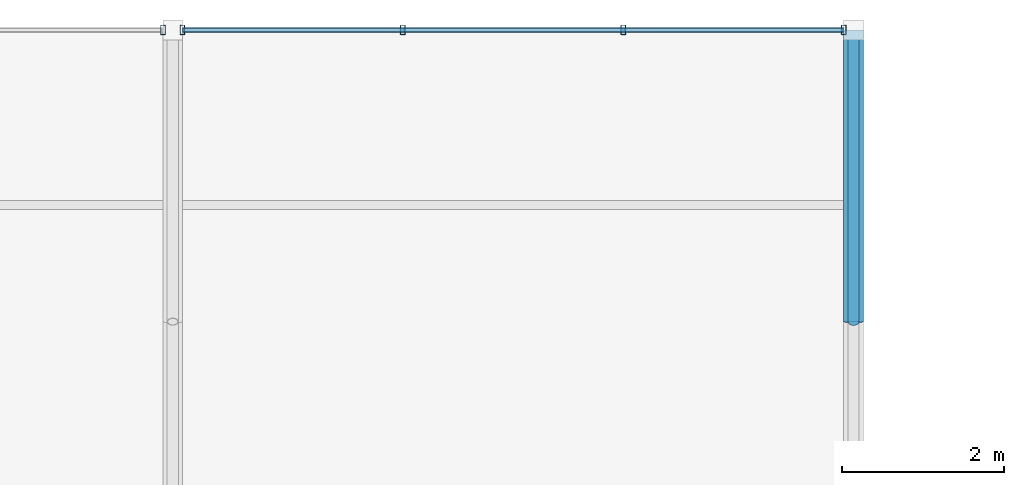
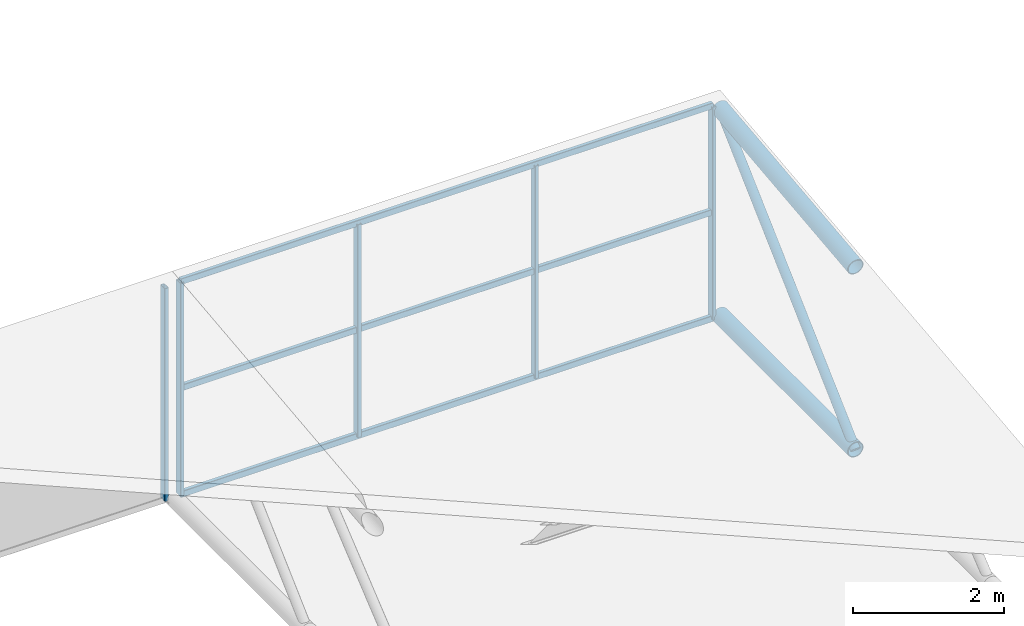
# One storey, part 53 of 77: 11 members, 2 elements without a shape of their own.
"""IFC4 building model written with IfcOpenShell, lengths in metres."""

import ifcopenshell
import ifcopenshell.guid

model = None  # the IFC model being written
_history = None  # IfcOwnerHistory: only IFC2X3 demands one
_inside = {}  # id of a spatial element -> (the spatial element, [elements in it])
_under = {}  # id of a project, library or spatial element -> (it, [spatial elements below it])
_declared = {}  # id of a project -> (the project, [libraries it declares])
_typed = {}  # id of a type object -> (the type object, [elements of that type])
_made_of = {}  # id of a material, layer set ... -> (it, [elements and type objects made of it])


def new_model(schema):
    """Start an empty IFC model of exactly this schema.

    Asked for "IFC4X3", IfcOpenShell would pick the latest addendum, in which some entities
    have other attributes; the version numbers below select the first issue.
    IFC2X3 requires an IfcOwnerHistory on every rooted entity: one is made here for all.
    """
    global model, _history
    if schema == "IFC4X3":
        model = ifcopenshell.file(schema_version=(4, 3, 0, 0))
    else:
        model = ifcopenshell.file(schema=schema)
    _inside.clear()
    _under.clear()
    _declared.clear()
    _typed.clear()
    _made_of.clear()
    _history = None
    if model.schema == "IFC2X3":
        org = make("IfcOrganization", Name="unknown")
        user = make(
            "IfcPersonAndOrganization",
            ThePerson=make("IfcPerson", FamilyName="unknown"),
            TheOrganization=org,
        )
        app = make(
            "IfcApplication",
            ApplicationDeveloper=org,
            Version="unknown",
            ApplicationFullName="unknown",
            ApplicationIdentifier="unknown",
        )
        _history = make(
            "IfcOwnerHistory",
            OwningUser=user,
            OwningApplication=app,
            ChangeAction="ADDED",
            CreationDate=0,
        )
    return model


def make(cls, **values):
    """One entity of the class cls with the attributes given. An attribute that is None is left unset."""
    return model.create_entity(
        cls, **{name: value for name, value in values.items() if value is not None}
    )


def rooted(cls, **values):
    """An entity with a GlobalId (a new one), such as an element, a storey or a relation."""
    return make(cls, GlobalId=ifcopenshell.guid.new(), OwnerHistory=_history, **values)


def si_unit(unit_type, name, prefix=None):
    """IfcSIUnit, for example si_unit("LENGTHUNIT", "METRE", prefix="MILLI")."""
    return make("IfcSIUnit", UnitType=unit_type, Prefix=prefix, Name=name)


def derived_unit(unit_type, elements):
    """IfcDerivedUnit: a product of units, each with its exponent."""
    return make(
        "IfcDerivedUnit",
        Elements=[
            make("IfcDerivedUnitElement", Unit=unit, Exponent=power)
            for unit, power in elements
        ],
        UnitType=unit_type,
    )


def assignment(units):
    """IfcUnitAssignment: the units of a project."""
    return None if units is None else make("IfcUnitAssignment", Units=units)


def point(xyz):
    """IfcCartesianPoint."""
    return None if xyz is None else make("IfcCartesianPoint", Coordinates=xyz)


def direction(xyz):
    """IfcDirection."""
    return None if xyz is None else make("IfcDirection", DirectionRatios=xyz)


def frame(location, z_axis=None, x_axis=None):
    """IfcAxis2Placement3D, a coordinate frame: its origin and axes. An axis left out is left unset."""
    return make(
        "IfcAxis2Placement3D",
        Location=point(location),
        Axis=direction(z_axis),
        RefDirection=direction(x_axis),
    )


def frame_2d(location, x_axis=None):
    """IfcAxis2Placement2D, a coordinate frame in the plane: its origin and x axis."""
    return make(
        "IfcAxis2Placement2D", Location=point(location), RefDirection=direction(x_axis)
    )


def origin():
    """The frame at (0, 0, 0) with its axes left unset."""
    return frame((0.0, 0.0, 0.0))


def origin_2d():
    """The frame at (0, 0) in the plane with its x axis left unset."""
    return frame_2d((0.0, 0.0))


def place(relative_to, where):
    """IfcLocalPlacement: puts the frame where relative to a parent placement (None: the world)."""
    return make(
        "IfcLocalPlacement", PlacementRelTo=relative_to, RelativePlacement=where
    )


def context(
    kind, dimensions, precision=None, world=None, true_north=None, identifier=None
):
    """IfcGeometricRepresentationContext, for example the 3D "Model" context."""
    return make(
        "IfcGeometricRepresentationContext",
        ContextIdentifier=identifier,
        ContextType=kind,
        CoordinateSpaceDimension=dimensions,
        Precision=precision,
        WorldCoordinateSystem=world,
        TrueNorth=true_north,
    )


def subcontext(parent, identifier, kind, view, scale=None):
    """IfcGeometricRepresentationSubContext, for example "Body" below "Model"."""
    return make(
        "IfcGeometricRepresentationSubContext",
        ContextIdentifier=identifier,
        ContextType=kind,
        ParentContext=parent,
        TargetScale=scale,
        TargetView=view,
    )


def project(units=None, contexts=None):
    """IfcProject with its units and contexts."""
    return rooted(
        "IfcProject",
        Name="project",
        RepresentationContexts=contexts,
        UnitsInContext=assignment(units),
    )


def spatial(cls, under=None, at=None, **own):
    """A site, building, storey or space (cls), placed at a placement, below another one or the project."""
    s = rooted(cls, ObjectPlacement=at, **own)
    if under is not None:
        _under.setdefault(under.id(), (under, []))[1].append(s)
    return s


def profile(cls, at=None, kind="AREA", **sizes):
    """A parametric profile (cls). Its sizes go by their IFC names, for example OverallWidth=200.0."""
    return make(cls, ProfileType=kind, Position=at, **sizes)


def hollow_rectangle(**sizes):
    """IfcRectangleHollowProfileDef."""
    return profile("IfcRectangleHollowProfileDef", **sizes)


def hollow_circle(**sizes):
    """IfcCircleHollowProfileDef."""
    return profile("IfcCircleHollowProfileDef", **sizes)


def extrude(swept, where, along, depth):
    """IfcExtrudedAreaSolid: the profile swept, set in the frame where, extruded along a direction by depth."""
    return make(
        "IfcExtrudedAreaSolid",
        SweptArea=swept,
        Position=where,
        ExtrudedDirection=direction(along),
        Depth=depth,
    )


def shape(context_of_items, identifier, shape_type, items):
    """IfcShapeRepresentation: the items that make up one representation, for example the "Body"."""
    return make(
        "IfcShapeRepresentation",
        ContextOfItems=context_of_items,
        RepresentationIdentifier=identifier,
        RepresentationType=shape_type,
        Items=items,
    )


def material(Name=None, Category=None):
    """IfcMaterial."""
    return make("IfcMaterial", Name=Name, Category=Category)


def material_profile(
    of_material, cross_section, Name=None, Category=None, Priority=None
):
    """IfcMaterialProfile: a cross section and its material."""
    return make(
        "IfcMaterialProfile",
        Name=Name,
        Material=of_material,
        Profile=cross_section,
        Priority=Priority,
        Category=Category,
    )


def profile_set(profiles, Name=None, composite=None):
    """IfcMaterialProfileSet."""
    return make(
        "IfcMaterialProfileSet",
        Name=Name,
        MaterialProfiles=profiles,
        CompositeProfile=composite,
    )


def made_of(thing, what):
    """Note that an element or type object is made of a material, layer set ...; save() writes the relation."""
    if what is not None:
        _made_of.setdefault(what.id(), (what, []))[1].append(thing)
    return thing


def type_object(cls, material=None, **own):
    """A type object (cls), such as IfcWallType, which elements share."""
    return made_of(rooted(cls, **own), material)


def element(
    cls,
    number,
    at=None,
    inside=None,
    cuts=None,
    type_object=None,
    material=None,
    context=None,
    identifier="Body",
    shape_type=None,
    held_by="IfcProductDefinitionShape",
    body=None,
    shapes=None,
    **own,
):
    """One element of the class cls, such as IfcWall. Its Tag is "e" and its number.

    at: its placement. inside: the storey or other place that contains it. cuts: it is an
    opening in that element (IfcRelVoidsElement). A single representation is given by context,
    identifier, shape_type and body (its items); several are given by shapes. held_by: the class
    of the entity that holds the representations. save() writes the other relations.
    """
    e = rooted(cls, Tag="e%d" % number, ObjectPlacement=at, **own)
    if body is not None:
        shapes = [shape(context, identifier, shape_type, body)]
    if shapes is not None:
        e.Representation = make(held_by, Representations=shapes)
    if inside is not None:
        _inside.setdefault(inside.id(), (inside, []))[1].append(e)
    if cuts is not None:
        rooted(
            "IfcRelVoidsElement", RelatingBuildingElement=cuts, RelatedOpeningElement=e
        )
    if type_object is not None:
        _typed.setdefault(type_object.id(), (type_object, []))[1].append(e)
    return made_of(e, material)


def aggregate(whole, parts):
    """IfcRelAggregates: a whole, such as a stair, and the parts it consists of."""
    return rooted("IfcRelAggregates", RelatingObject=whole, RelatedObjects=parts)


def save(model, path):
    """Write the relations noted so far, then the file.

    IfcRelAggregates (storeys below a building ...), IfcRelContainedInSpatialStructure (elements
    in a storey), IfcRelDefinesByType, IfcRelAssociatesMaterial and IfcRelDeclares: one each for
    every whole, place, type object, material and project.
    """
    for whole, parts in _under.values():
        aggregate(whole, parts)
    for where, things in _inside.values():
        rooted(
            "IfcRelContainedInSpatialStructure",
            RelatedElements=things,
            RelatingStructure=where,
        )
    for kind, things in _typed.values():
        rooted("IfcRelDefinesByType", RelatedObjects=things, RelatingType=kind)
    for what, things in _made_of.values():
        rooted("IfcRelAssociatesMaterial", RelatedObjects=things, RelatingMaterial=what)
    for by, libraries in _declared.values():
        rooted("IfcRelDeclares", RelatingContext=by, RelatedDefinitions=libraries)
    model.write(path)


model = new_model("IFC4")

# Units and contexts
model_context = context("Model", 3, precision=1e-05, world=origin(), true_north=direction((0.0, 1.0)))
body_context = subcontext(model_context, "Body", "Model", "MODEL_VIEW")
ifc_project = project(units=[si_unit("LENGTHUNIT", "METRE"), si_unit("AREAUNIT", "SQUARE_METRE"), si_unit("VOLUMEUNIT", "CUBIC_METRE"), si_unit("PLANEANGLEUNIT", "RADIAN"), si_unit("MASSUNIT", "GRAM", prefix="KILO"), derived_unit("THERMALTRANSMITTANCEUNIT", [(si_unit("MASSUNIT", "GRAM", prefix="KILO"), 1), (si_unit("TIMEUNIT", "SECOND"), -3), (si_unit("THERMODYNAMICTEMPERATUREUNIT", "KELVIN"), -1)])], contexts=[model_context])

# Site, building, storey
site_placement = place(None, origin())
site = spatial("IfcSite", under=ifc_project, at=site_placement, CompositionType="ELEMENT")
building_placement = place(site_placement, origin())
building = spatial("IfcBuilding", under=site, at=building_placement, Name="Kharveza Railside Sports Centre", CompositionType="ELEMENT")
storey_placement = place(building_placement, frame((0.0, 0.0, 17.10009765625)))
storey = spatial("IfcBuildingStorey", under=building, at=storey_placement, Name="L04", CompositionType="ELEMENT", Elevation=17.10009765625)

# Curtain wall, member
ifc_material_1 = material(Name="Low-E solar-control laminated glass", Category="glass")
curtain_wall_type = type_object("IfcCurtainWallType", Name="CW-NL03", PredefinedType="NOTDEFINED", material=ifc_material_1)
curtain_wall_1_placement = place(storey_placement, origin())
curtain_wall_1 = element("IfcCurtainWall", 1, at=curtain_wall_1_placement, inside=storey, type_object=curtain_wall_type, Name="CW-V3NL-2", PredefinedType="NOTDEFINED")
ifc_material_2 = material(Name="Anodised aluminium 6063-T6", Category="aluminium")
ifc_material_profile_1 = material_profile(ifc_material_2, hollow_rectangle(XDim=0.06005859375, YDim=0.1201171875, WallThickness=0.0048828125, InnerFilletRadius=0.0048828125, OuterFilletRadius=0.010009765625, at=origin_2d()), Name="RHS 60x120x5.0")
ifc_profile_set_1 = profile_set([ifc_material_profile_1], Name="Anodised aluminium 6063-T6")
member_type_1 = type_object("IfcMemberType", Name="CW-ML05", PredefinedType="MULLION", material=ifc_profile_set_1)
member_1_placement = place(storey_placement, frame((16.679931640625, 108.0, 0.0), z_axis=(0.0, 0.0, 1.0), x_axis=(1.0, 0.0, 0.0)))
member_1 = element("IfcMember", 2, at=member_1_placement, type_object=member_type_1, Name="CW-V3NL-2-ML4", PredefinedType="MULLION", context=body_context, shape_type="SweptSolid", body=[
    extrude(hollow_rectangle(XDim=0.06005859375, YDim=0.1201171875, WallThickness=0.0048828125, InnerFilletRadius=0.0048828125, OuterFilletRadius=0.010009765625, at=origin_2d()), origin(), (0.0, 0.0, 1.0), 3.449951171875),
])
aggregate(curtain_wall_1, [member_1])

# Curtain wall, members
curtain_wall_2_placement = place(storey_placement, origin())
curtain_wall_2 = element("IfcCurtainWall", 3, at=curtain_wall_2_placement, inside=storey, type_object=curtain_wall_type, Name="CW-V3NL-3", PredefinedType="NOTDEFINED")
member_2_placement = place(storey_placement, frame((16.919921875, 108.0, 0.0), z_axis=(0.0, 0.0, 1.0), x_axis=(1.0, 0.0, 0.0)))
member_2 = element("IfcMember", 4, at=member_2_placement, type_object=member_type_1, Name="CW-V3NL-3-ML1", PredefinedType="MULLION", context=body_context, shape_type="SweptSolid", body=[
    extrude(hollow_rectangle(XDim=0.06005859375, YDim=0.1201171875, WallThickness=0.0048828125, InnerFilletRadius=0.0048828125, OuterFilletRadius=0.010009765625, at=origin_2d()), origin(), (0.0, 0.0, 1.0), 3.449951171875),
])
member_3_placement = place(storey_placement, frame((19.639892578125, 108.0, 0.0), z_axis=(0.0, 0.0, 1.0), x_axis=(1.0, 0.0, 0.0)))
member_3 = element("IfcMember", 5, at=member_3_placement, type_object=member_type_1, Name="CW-V3NL-3-ML2", PredefinedType="MULLION", context=body_context, shape_type="SweptSolid", body=[
    extrude(hollow_rectangle(XDim=0.06005859375, YDim=0.1201171875, WallThickness=0.0048828125, InnerFilletRadius=0.0048828125, OuterFilletRadius=0.010009765625, at=origin_2d()), origin(), (0.0, 0.0, 1.0), 3.449951171875),
])
member_4_placement = place(storey_placement, frame((22.360107421875, 108.0, 0.0), z_axis=(0.0, 0.0, 1.0), x_axis=(1.0, 0.0, 0.0)))
member_4 = element("IfcMember", 6, at=member_4_placement, type_object=member_type_1, Name="CW-V3NL-3-ML3", PredefinedType="MULLION", context=body_context, shape_type="SweptSolid", body=[
    extrude(hollow_rectangle(XDim=0.06005859375, YDim=0.1201171875, WallThickness=0.0048828125, InnerFilletRadius=0.0048828125, OuterFilletRadius=0.010009765625, at=origin_2d()), origin(), (0.0, 0.0, 1.0), 3.449951171875),
])
member_5_placement = place(storey_placement, frame((25.080078125, 108.0, 0.0), z_axis=(0.0, 0.0, 1.0), x_axis=(1.0, 0.0, 0.0)))
member_5 = element("IfcMember", 7, at=member_5_placement, type_object=member_type_1, Name="CW-V3NL-3-ML4", PredefinedType="MULLION", context=body_context, shape_type="SweptSolid", body=[
    extrude(hollow_rectangle(XDim=0.06005859375, YDim=0.1201171875, WallThickness=0.0048828125, InnerFilletRadius=0.0048828125, OuterFilletRadius=0.010009765625, at=origin_2d()), origin(), (0.0, 0.0, 1.0), 3.449951171875),
])
ifc_material_profile_2 = material_profile(ifc_material_2, hollow_rectangle(XDim=0.06005859375, YDim=0.10009765625, WallThickness=0.00390625, InnerFilletRadius=0.00390625, OuterFilletRadius=0.008056640625, at=origin_2d()), Name="RHS 60x100x4.0")
ifc_profile_set_2 = profile_set([ifc_material_profile_2], Name="Anodised aluminium 6063-T6")
member_type_2 = type_object("IfcMemberType", Name="CW-TR05", PredefinedType="USERDEFINED", material=ifc_profile_set_2)
member_6_placement = place(storey_placement, frame((16.919921875, 108.0, 0.0), z_axis=(1.0, 0.0, 0.0), x_axis=(0.0, 1.0, 0.0)))
member_6 = element("IfcMember", 8, at=member_6_placement, type_object=member_type_2, Name="CW-V3NL-3-TR1", ObjectType="TRANSOM", PredefinedType="USERDEFINED", context=body_context, shape_type="SweptSolid", body=[
    extrude(hollow_rectangle(XDim=0.06005859375, YDim=0.10009765625, WallThickness=0.00390625, InnerFilletRadius=0.00390625, OuterFilletRadius=0.008056640625, at=origin_2d()), origin(), (0.0, 0.0, 1.0), 8.16015625),
])
member_7_placement = place(storey_placement, frame((16.919921875, 108.0, 1.724853515625), z_axis=(1.0, 0.0, 0.0), x_axis=(0.0, 1.0, 0.0)))
member_7 = element("IfcMember", 9, at=member_7_placement, type_object=member_type_2, Name="CW-V3NL-3-TR2", ObjectType="TRANSOM", PredefinedType="USERDEFINED", context=body_context, shape_type="SweptSolid", body=[
    extrude(hollow_rectangle(XDim=0.06005859375, YDim=0.10009765625, WallThickness=0.00390625, InnerFilletRadius=0.00390625, OuterFilletRadius=0.008056640625, at=origin_2d()), origin(), (0.0, 0.0, 1.0), 8.16015625),
])
member_8_placement = place(storey_placement, frame((16.919921875, 108.0, 3.449951171875), z_axis=(1.0, 0.0, 0.0), x_axis=(0.0, 1.0, 0.0)))
member_8 = element("IfcMember", 10, at=member_8_placement, type_object=member_type_2, Name="CW-V3NL-3-TR3", ObjectType="TRANSOM", PredefinedType="USERDEFINED", context=body_context, shape_type="SweptSolid", body=[
    extrude(hollow_rectangle(XDim=0.06005859375, YDim=0.10009765625, WallThickness=0.00390625, InnerFilletRadius=0.00390625, OuterFilletRadius=0.008056640625, at=origin_2d()), origin(), (0.0, 0.0, 1.0), 8.16015625),
])
aggregate(curtain_wall_2, [member_2, member_3, member_4, member_5, member_6, member_7, member_8])

# Members
ifc_material_3 = material(Name="Steel S355J2", Category="steel")
ifc_material_profile_3 = material_profile(ifc_material_3, hollow_circle(Radius=0.122314453125, WallThickness=0.012451171875, at=origin_2d()), Name="CHS 244.5x12.5")
ifc_profile_set_3 = profile_set([ifc_material_profile_3], Name="Steel S355J2")
member_type_3 = type_object("IfcMemberType", Name="MB-CH04", PredefinedType="CHORD", material=ifc_profile_set_3)
member_9_placement = place(storey_placement, frame((25.199951171875, 104.39990234375, 0.0), z_axis=(0.0, 1.0, 0.0), x_axis=(-1.0, 0.0, 0.0)))
element("IfcMember", 11, at=member_9_placement, inside=storey, type_object=member_type_3, Name="MB-V3TR-BC-4-6", PredefinedType="CHORD", context=body_context, shape_type="SweptSolid", body=[
    extrude(hollow_circle(Radius=0.122314453125, WallThickness=0.012451171875, at=origin_2d()), origin(), (0.0, 0.0, 1.0), 3.60009765625),
])
member_10_placement = place(storey_placement, frame((25.199951171875, 104.39990234375, 2.9599609375), z_axis=(0.0, 0.99388702206, 0.110401935585), x_axis=(-1.0, 0.0, 0.0)))
element("IfcMember", 12, at=member_10_placement, inside=storey, type_object=member_type_3, Name="MB-V3TR-TC-4-6", PredefinedType="CHORD", context=body_context, shape_type="SweptSolid", body=[
    extrude(hollow_circle(Radius=0.122314453125, WallThickness=0.012451171875, at=origin_2d()), origin(), (0.0, 0.0, 1.0), 3.622314453125),
])
ifc_material_profile_4 = material_profile(ifc_material_3, hollow_circle(Radius=0.06982421875, WallThickness=0.008056640625, at=origin_2d()), Name="CHS 139.7x8.0")
ifc_profile_set_4 = profile_set([ifc_material_profile_4], Name="Steel S355J2")
member_type_4 = type_object("IfcMemberType", Name="MB-ST04", PredefinedType="STRUT", material=ifc_profile_set_4)
member_11_placement = place(storey_placement, frame((25.199951171875, 104.39990234375, 0.0), z_axis=(0.0, 0.731078349305, 0.682293519812), x_axis=(-1.0, 0.0, 0.0)))
element("IfcMember", 13, at=member_11_placement, inside=storey, type_object=member_type_4, Name="MB-V3TR-DG-4-6", PredefinedType="STRUT", context=body_context, shape_type="SweptSolid", body=[
    extrude(hollow_circle(Radius=0.06982421875, WallThickness=0.008056640625, at=origin_2d()), origin(), (0.0, 0.0, 1.0), 4.92431640625),
])

save(model, "model.ifc")
